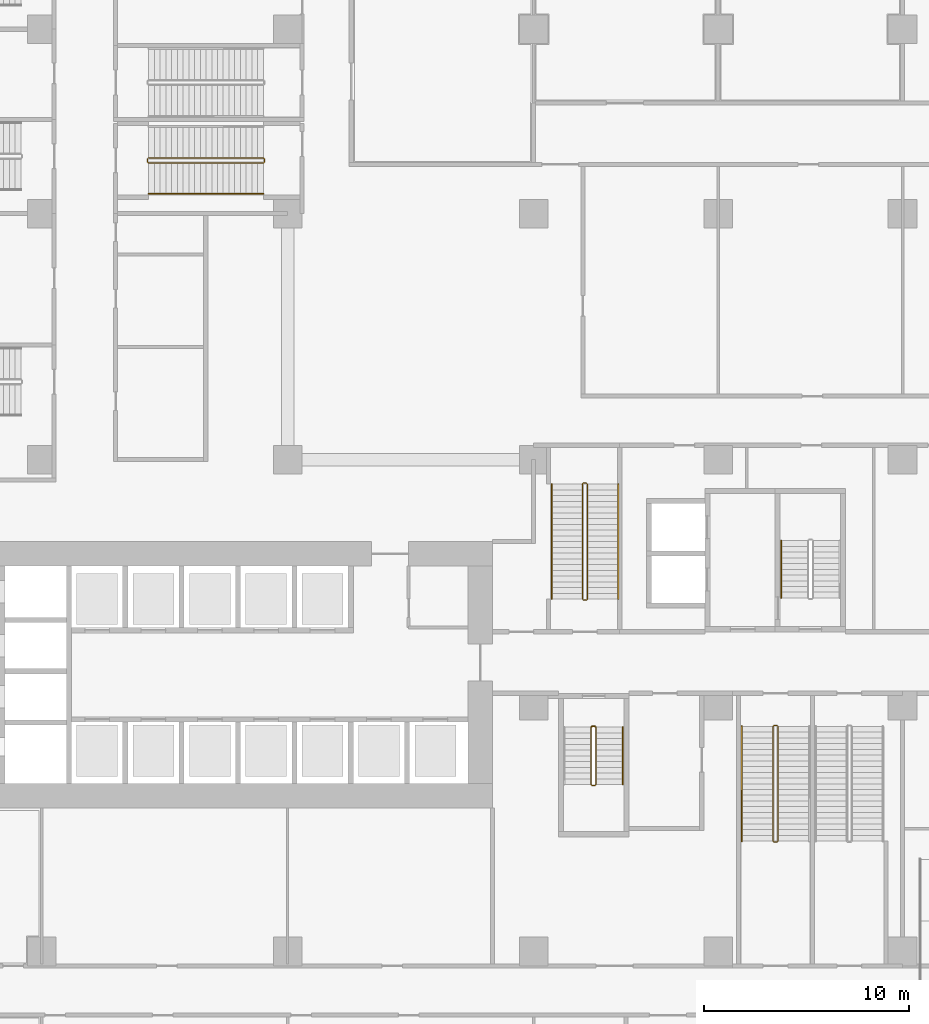
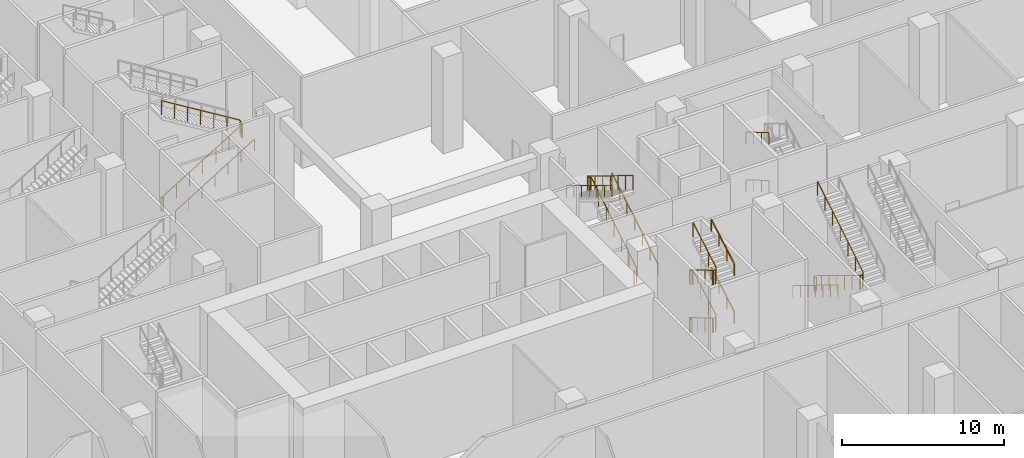
# One storey, part 30 of 34: 12 railings.
"""IFC4 building model written with IfcOpenShell, lengths in metres."""

from ifc_helpers import new_model, si_unit, direction, frame, origin, origin_2d, place, context, subcontext, project, spatial, rectangle, extrude, material, type_object, element, save


model = new_model("IFC4")

# Units and contexts
model_context = context("Model", 3, precision=1e-05, world=origin(), true_north=direction((0.0, 1.0)))
body_context = subcontext(model_context, "Body", "Model", "MODEL_VIEW")
ifc_project = project(units=[si_unit("LENGTHUNIT", "METRE"), si_unit("AREAUNIT", "SQUARE_METRE"), si_unit("VOLUMEUNIT", "CUBIC_METRE"), si_unit("PLANEANGLEUNIT", "RADIAN"), si_unit("MASSUNIT", "GRAM", prefix="KILO")], contexts=[model_context])

# Site, building, storey
site_placement = place(None, origin())
site = spatial("IfcSite", under=ifc_project, at=site_placement, CompositionType="ELEMENT")
building_placement = place(site_placement, origin())
building = spatial("IfcBuilding", under=site, at=building_placement, Name="Chenar Terraces", CompositionType="ELEMENT")
storey_placement = place(building_placement, origin())
storey = spatial("IfcBuildingStorey", under=building, at=storey_placement, Name="L00", CompositionType="ELEMENT", Elevation=0.0)

# Railings
ifc_material_1 = material(Name="Powder-coated steel", Category="steel")
railing_type_1 = type_object("IfcRailingType", Name="Stair guard 1100", PredefinedType="GUARDRAIL", material=ifc_material_1)
railing_1_placement = place(storey_placement, frame((39.050048828125, 10.949951171875, 7.199951171875)))
element("IfcRailing", 1, at=railing_1_placement, inside=storey, type_object=railing_type_1, Name="L00 ST2 stair guard 1", PredefinedType="GUARDRAIL", context=body_context, shape_type="SweptSolid", body=[
    extrude(rectangle(XDim=0.048095703125, YDim=0.048095703125, at=origin_2d()), frame((0.0, 0.0, 1.076171875), z_axis=(0.0, -0.863393664356, -0.504530851732), x_axis=(1.0, 0.0, 0.0)), (0.0, 0.0, 1.0), 3.2431640625),
    extrude(rectangle(XDim=0.048095703125, YDim=0.048095703125, at=origin_2d()), frame((0.0, -2.800048828125, -0.56005859375), z_axis=(-0.280563532951, -0.279194930351, -0.91833234444), x_axis=(0.705375805398, -0.708833529934, 0.0)), (0.0, 0.0, 1.0), 0.178466796875),
    extrude(rectangle(XDim=0.048095703125, YDim=0.048095703125, at=origin_2d()), frame((-0.050048828125, -2.849853515625, -0.72412109375), z_axis=(-1.0, 0.0, 0.0), x_axis=(0.0, -1.0, 0.0)), (0.0, 0.0, 1.0), 0.14990234375),
    extrude(rectangle(XDim=0.048095703125, YDim=0.048095703125, at=origin_2d()), frame((-0.199951171875, -2.849853515625, -0.72412109375), z_axis=(-0.708833529934, 0.705375805398, 0.0), x_axis=(-0.705375805398, -0.708833529934, 0.0)), (0.0, 0.0, 1.0), 0.070556640625),
    extrude(rectangle(XDim=0.048095703125, YDim=0.048095703125, at=origin_2d()), frame((-0.25, -2.800048828125, -0.72412109375), z_axis=(0.0, 0.863393664356, -0.504530851732), x_axis=(-1.0, 0.0, 0.0)), (0.0, 0.0, 1.0), 3.2431640625),
    extrude(rectangle(XDim=0.048095703125, YDim=0.048095703125, at=origin_2d()), frame((-0.25, 0.0, -2.3603515625), z_axis=(0.759870394187, 0.190199549216, -0.621627795), x_axis=(-0.242814311512, 0.970072785993, 0.0)), (0.0, 0.0, 1.0), 0.26318359375),
    extrude(rectangle(XDim=0.048095703125, YDim=0.048095703125, at=origin_2d()), frame((-0.050048828125, 0.050048828125, -2.52392578125), z_axis=(-1.0, 0.0, 0.0), x_axis=(0.0, -1.0, 0.0)), (0.0, 0.0, 1.0), 0.14990234375),
    extrude(rectangle(XDim=0.048095703125, YDim=0.048095703125, at=origin_2d()), frame((-0.199951171875, 0.050048828125, -2.52392578125), z_axis=(0.970072785993, -0.242814311512, 0.0), x_axis=(0.242814311512, 0.970072785993, 0.0)), (0.0, 0.0, 1.0), 0.2060546875),
    extrude(rectangle(XDim=0.048095703125, YDim=0.048095703125, at=origin_2d()), frame((0.0, 0.0, -2.52392578125), z_axis=(0.0, -0.863360870873, -0.504586966384), x_axis=(1.0, 0.0, 0.0)), (0.0, 0.0, 1.0), 3.2431640625),
    extrude(rectangle(XDim=0.048095703125, YDim=0.048095703125, at=origin_2d()), frame((0.0, -2.800048828125, -4.16015625), z_axis=(-0.280916556609, -0.279546231943, -0.91811752648), x_axis=(0.705375805398, -0.708833529934, 0.0)), (0.0, 0.0, 1.0), 0.17822265625),
    extrude(rectangle(XDim=0.048095703125, YDim=0.048095703125, at=origin_2d()), frame((-0.050048828125, -2.849853515625, -4.32373046875), z_axis=(-1.0, 0.0, 0.0), x_axis=(0.0, -1.0, 0.0)), (0.0, 0.0, 1.0), 0.14990234375),
    extrude(rectangle(XDim=0.048095703125, YDim=0.048095703125, at=origin_2d()), frame((-0.199951171875, -2.849853515625, -4.32373046875), z_axis=(-0.708833529934, 0.705375805398, 0.0), x_axis=(-0.705375805398, -0.708833529934, 0.0)), (0.0, 0.0, 1.0), 0.070556640625),
    extrude(rectangle(XDim=0.048095703125, YDim=0.048095703125, at=origin_2d()), frame((-0.25, -2.800048828125, -4.32373046875), z_axis=(0.0, 0.863360870873, -0.504586966384), x_axis=(-1.0, 0.0, 0.0)), (0.0, 0.0, 1.0), 3.2431640625),
    extrude(rectangle(XDim=0.048095703125, YDim=0.048095703125, at=origin_2d()), frame((-0.25, 0.0, -5.96044921875), z_axis=(0.280808744504, 0.280808744504, -0.917765164963), x_axis=(-0.707106781187, 0.707106781187, 0.0)), (0.0, 0.0, 1.0), 0.17822265625),
    extrude(rectangle(XDim=0.048095703125, YDim=0.048095703125, at=origin_2d()), frame((-0.199951171875, 0.050048828125, -6.1240234375), z_axis=(1.0, 0.0, 0.0), x_axis=(0.0, 1.0, 0.0)), (0.0, 0.0, 1.0), 0.14990234375),
    extrude(rectangle(XDim=0.0419921875, YDim=0.0419921875, at=origin_2d()), origin(), (0.0, 0.0, 1.0), 1.052001953125),
    extrude(rectangle(XDim=0.0419921875, YDim=0.0419921875, at=origin_2d()), frame((0.0, -0.933349609375, -0.54541015625)), (0.0, 0.0, 1.0), 1.052001953125),
    extrude(rectangle(XDim=0.0419921875, YDim=0.0419921875, at=origin_2d()), frame((0.0, -1.86669921875, -1.0908203125)), (0.0, 0.0, 1.0), 1.052001953125),
    extrude(rectangle(XDim=0.0419921875, YDim=0.0419921875, at=origin_2d()), frame((0.0, -2.800048828125, -1.63623046875)), (0.0, 0.0, 1.0), 1.052001953125),
    extrude(rectangle(XDim=0.0419921875, YDim=0.0419921875, at=origin_2d()), frame((-0.050048828125, -2.849853515625, -1.800048828125)), (0.0, 0.0, 1.0), 1.052001953125),
    extrude(rectangle(XDim=0.0419921875, YDim=0.0419921875, at=origin_2d()), frame((-0.199951171875, -2.849853515625, -1.800048828125)), (0.0, 0.0, 1.0), 1.052001953125),
    extrude(rectangle(XDim=0.0419921875, YDim=0.0419921875, at=origin_2d()), frame((-0.25, -2.800048828125, -1.800048828125)), (0.0, 0.0, 1.0), 1.052001953125),
    extrude(rectangle(XDim=0.0419921875, YDim=0.0419921875, at=origin_2d()), frame((-0.25, -1.86669921875, -2.345458984375)), (0.0, 0.0, 1.0), 1.052001953125),
    extrude(rectangle(XDim=0.0419921875, YDim=0.0419921875, at=origin_2d()), frame((-0.25, -0.933349609375, -2.890869140625)), (0.0, 0.0, 1.0), 1.052001953125),
    extrude(rectangle(XDim=0.0419921875, YDim=0.0419921875, at=origin_2d()), frame((-0.25, 0.0, -3.436279296875)), (0.0, 0.0, 1.0), 1.052001953125),
    extrude(rectangle(XDim=0.0419921875, YDim=0.0419921875, at=origin_2d()), frame((-0.050048828125, 0.050048828125, -3.599853515625)), (0.0, 0.0, 1.0), 1.052001953125),
    extrude(rectangle(XDim=0.0419921875, YDim=0.0419921875, at=origin_2d()), frame((-0.199951171875, 0.050048828125, -3.599853515625)), (0.0, 0.0, 1.0), 1.052001953125),
    extrude(rectangle(XDim=0.0419921875, YDim=0.0419921875, at=origin_2d()), frame((0.0, 0.0, -3.599853515625)), (0.0, 0.0, 1.0), 1.052001953125),
    extrude(rectangle(XDim=0.0419921875, YDim=0.0419921875, at=origin_2d()), frame((0.0, -0.933349609375, -4.145263671875)), (0.0, 0.0, 1.0), 1.052001953125),
    extrude(rectangle(XDim=0.0419921875, YDim=0.0419921875, at=origin_2d()), frame((0.0, -1.86669921875, -4.69091796875)), (0.0, 0.0, 1.0), 1.052001953125),
    extrude(rectangle(XDim=0.0419921875, YDim=0.0419921875, at=origin_2d()), frame((0.0, -2.800048828125, -5.236328125)), (0.0, 0.0, 1.0), 1.052001953125),
    extrude(rectangle(XDim=0.0419921875, YDim=0.0419921875, at=origin_2d()), frame((-0.050048828125, -2.849853515625, -5.39990234375)), (0.0, 0.0, 1.0), 1.052001953125),
    extrude(rectangle(XDim=0.0419921875, YDim=0.0419921875, at=origin_2d()), frame((-0.199951171875, -2.849853515625, -5.39990234375)), (0.0, 0.0, 1.0), 1.052001953125),
    extrude(rectangle(XDim=0.0419921875, YDim=0.0419921875, at=origin_2d()), frame((-0.25, -2.800048828125, -5.39990234375)), (0.0, 0.0, 1.0), 1.052001953125),
    extrude(rectangle(XDim=0.0419921875, YDim=0.0419921875, at=origin_2d()), frame((-0.25, -1.86669921875, -5.9453125)), (0.0, 0.0, 1.0), 1.052001953125),
    extrude(rectangle(XDim=0.0419921875, YDim=0.0419921875, at=origin_2d()), frame((-0.25, -0.933349609375, -6.490966796875)), (0.0, 0.0, 1.0), 1.052001953125),
    extrude(rectangle(XDim=0.0419921875, YDim=0.0419921875, at=origin_2d()), frame((-0.25, 0.0, -7.036376953125)), (0.0, 0.0, 1.0), 1.052001953125),
    extrude(rectangle(XDim=0.0419921875, YDim=0.0419921875, at=origin_2d()), frame((-0.199951171875, 0.050048828125, -7.199951171875)), (0.0, 0.0, 1.0), 1.052001953125),
    extrude(rectangle(XDim=0.0419921875, YDim=0.0419921875, at=origin_2d()), frame((-0.050048828125, 0.050048828125, -7.199951171875)), (0.0, 0.0, 1.0), 1.052001953125),
])
railing_2_placement = place(storey_placement, frame((38.375, 17.199951171875, 7.199951171875)))
element("IfcRailing", 2, at=railing_2_placement, inside=storey, type_object=railing_type_1, Name="L00 PS1 stair guard 1", PredefinedType="GUARDRAIL", context=body_context, shape_type="SweptSolid", body=[
    extrude(rectangle(XDim=0.048095703125, YDim=0.048095703125, at=origin_2d()), frame((0.0, 0.0, 1.076171875), z_axis=(0.0, 0.852862454864, -0.522135646249), x_axis=(-1.0, 0.0, 0.0)), (0.0, 0.0, 1.0), 6.566162109375),
    extrude(rectangle(XDim=0.048095703125, YDim=0.048095703125, at=origin_2d()), frame((0.0, 5.60009765625, -2.3525390625), z_axis=(0.269911200495, 0.269911200495, -0.924281281696), x_axis=(-0.707106781187, 0.707106781187, 0.0)), (0.0, 0.0, 1.0), 0.185546875),
    extrude(rectangle(XDim=0.048095703125, YDim=0.048095703125, at=origin_2d()), frame((0.050048828125, 5.650146484375, -2.52392578125), z_axis=(1.0, 0.0, 0.0), x_axis=(0.0, 1.0, 0.0)), (0.0, 0.0, 1.0), 0.14990234375),
    extrude(rectangle(XDim=0.048095703125, YDim=0.048095703125, at=origin_2d()), frame((0.199951171875, 5.650146484375, -2.52392578125), z_axis=(0.707106781187, -0.707106781187, 0.0), x_axis=(0.707106781187, 0.707106781187, 0.0)), (0.0, 0.0, 1.0), 0.07080078125),
    extrude(rectangle(XDim=0.048095703125, YDim=0.048095703125, at=origin_2d()), frame((0.25, 5.60009765625, -2.52392578125), z_axis=(0.0, -0.852845897599, -0.522162690116), x_axis=(1.0, 0.0, 0.0)), (0.0, 0.0, 1.0), 6.56640625),
    extrude(rectangle(XDim=0.048095703125, YDim=0.048095703125, at=origin_2d()), frame((0.25, 0.0, -5.95263671875), z_axis=(-0.269911200495, -0.269911200495, -0.924281281696), x_axis=(0.707106781187, -0.707106781187, 0.0)), (0.0, 0.0, 1.0), 0.185546875),
    extrude(rectangle(XDim=0.048095703125, YDim=0.048095703125, at=origin_2d()), frame((0.199951171875, -0.050048828125, -6.1240234375), z_axis=(-1.0, 0.0, 0.0), x_axis=(0.0, -1.0, 0.0)), (0.0, 0.0, 1.0), 0.14990234375),
    extrude(rectangle(XDim=0.0419921875, YDim=0.0419921875, at=origin_2d()), origin(), (0.0, 0.0, 1.0), 1.052001953125),
    extrude(rectangle(XDim=0.0419921875, YDim=0.0419921875, at=origin_2d()), frame((0.0, 0.933349609375, -0.5712890625)), (0.0, 0.0, 1.0), 1.052001953125),
    extrude(rectangle(XDim=0.0419921875, YDim=0.0419921875, at=origin_2d()), frame((0.0, 1.86669921875, -1.142822265625)), (0.0, 0.0, 1.0), 1.052001953125),
    extrude(rectangle(XDim=0.0419921875, YDim=0.0419921875, at=origin_2d()), frame((0.0, 2.800048828125, -1.71435546875)), (0.0, 0.0, 1.0), 1.052001953125),
    extrude(rectangle(XDim=0.0419921875, YDim=0.0419921875, at=origin_2d()), frame((0.0, 3.7333984375, -2.28564453125)), (0.0, 0.0, 1.0), 1.052001953125),
    extrude(rectangle(XDim=0.0419921875, YDim=0.0419921875, at=origin_2d()), frame((0.0, 4.666748046875, -2.85693359375)), (0.0, 0.0, 1.0), 1.052001953125),
    extrude(rectangle(XDim=0.0419921875, YDim=0.0419921875, at=origin_2d()), frame((0.0, 5.60009765625, -3.428466796875)), (0.0, 0.0, 1.0), 1.052001953125),
    extrude(rectangle(XDim=0.0419921875, YDim=0.0419921875, at=origin_2d()), frame((0.050048828125, 5.650146484375, -3.599853515625)), (0.0, 0.0, 1.0), 1.052001953125),
    extrude(rectangle(XDim=0.0419921875, YDim=0.0419921875, at=origin_2d()), frame((0.199951171875, 5.650146484375, -3.599853515625)), (0.0, 0.0, 1.0), 1.052001953125),
    extrude(rectangle(XDim=0.0419921875, YDim=0.0419921875, at=origin_2d()), frame((0.25, 5.60009765625, -3.599853515625)), (0.0, 0.0, 1.0), 1.052001953125),
    extrude(rectangle(XDim=0.0419921875, YDim=0.0419921875, at=origin_2d()), frame((0.25, 4.666748046875, -4.17138671875)), (0.0, 0.0, 1.0), 1.052001953125),
    extrude(rectangle(XDim=0.0419921875, YDim=0.0419921875, at=origin_2d()), frame((0.25, 3.7333984375, -4.74267578125)), (0.0, 0.0, 1.0), 1.052001953125),
    extrude(rectangle(XDim=0.0419921875, YDim=0.0419921875, at=origin_2d()), frame((0.25, 2.800048828125, -5.314208984375)), (0.0, 0.0, 1.0), 1.052001953125),
    extrude(rectangle(XDim=0.0419921875, YDim=0.0419921875, at=origin_2d()), frame((0.25, 1.86669921875, -5.8857421875)), (0.0, 0.0, 1.0), 1.052001953125),
    extrude(rectangle(XDim=0.0419921875, YDim=0.0419921875, at=origin_2d()), frame((0.25, 0.933349609375, -6.45703125)), (0.0, 0.0, 1.0), 1.052001953125),
    extrude(rectangle(XDim=0.0419921875, YDim=0.0419921875, at=origin_2d()), frame((0.25, 0.0, -7.028564453125)), (0.0, 0.0, 1.0), 1.052001953125),
    extrude(rectangle(XDim=0.0419921875, YDim=0.0419921875, at=origin_2d()), frame((0.199951171875, -0.050048828125, -7.199951171875)), (0.0, 0.0, 1.0), 1.052001953125),
    extrude(rectangle(XDim=0.0419921875, YDim=0.0419921875, at=origin_2d()), frame((0.050048828125, -0.050048828125, -7.199951171875)), (0.0, 0.0, 1.0), 1.052001953125),
])
railing_3_placement = place(storey_placement, frame((47.925048828125, 10.985107421875, 7.199951171875)))
element("IfcRailing", 3, at=railing_3_placement, inside=storey, type_object=railing_type_1, Name="L00 PS6 stair guard 1", PredefinedType="GUARDRAIL", context=body_context, shape_type="SweptSolid", body=[
    extrude(rectangle(XDim=0.048095703125, YDim=0.048095703125, at=origin_2d()), frame((0.0, 0.0, 1.076171875), z_axis=(0.0, -0.852862454864, -0.522135646249), x_axis=(1.0, 0.0, 0.0)), (0.0, 0.0, 1.0), 6.566162109375),
    extrude(rectangle(XDim=0.048095703125, YDim=0.048095703125, at=origin_2d()), frame((0.0, -5.60009765625, -2.3525390625), z_axis=(-0.269911200495, -0.269911200495, -0.924281281696), x_axis=(0.707106781187, -0.707106781187, 0.0)), (0.0, 0.0, 1.0), 0.185546875),
    extrude(rectangle(XDim=0.048095703125, YDim=0.048095703125, at=origin_2d()), frame((-0.050048828125, -5.650146484375, -2.52392578125), z_axis=(-1.0, 0.0, 0.0), x_axis=(0.0, -1.0, 0.0)), (0.0, 0.0, 1.0), 0.14990234375),
    extrude(rectangle(XDim=0.048095703125, YDim=0.048095703125, at=origin_2d()), frame((-0.199951171875, -5.650146484375, -2.52392578125), z_axis=(-0.707106781187, 0.707106781187, 0.0), x_axis=(-0.707106781187, -0.707106781187, 0.0)), (0.0, 0.0, 1.0), 0.07080078125),
    extrude(rectangle(XDim=0.048095703125, YDim=0.048095703125, at=origin_2d()), frame((-0.25, -5.60009765625, -2.52392578125), z_axis=(0.0, 0.852845897599, -0.522162690116), x_axis=(-1.0, 0.0, 0.0)), (0.0, 0.0, 1.0), 6.56640625),
    extrude(rectangle(XDim=0.048095703125, YDim=0.048095703125, at=origin_2d()), frame((-0.25, 0.0, -5.95263671875), z_axis=(0.270006937388, 0.268689830376, -0.924609122178), x_axis=(-0.705375805398, 0.708833529934, 0.0)), (0.0, 0.0, 1.0), 0.185302734375),
    extrude(rectangle(XDim=0.048095703125, YDim=0.048095703125, at=origin_2d()), frame((-0.199951171875, 0.0498046875, -6.1240234375), z_axis=(1.0, 0.0, 0.0), x_axis=(0.0, 1.0, 0.0)), (0.0, 0.0, 1.0), 0.14990234375),
    extrude(rectangle(XDim=0.0419921875, YDim=0.0419921875, at=origin_2d()), origin(), (0.0, 0.0, 1.0), 1.052001953125),
    extrude(rectangle(XDim=0.0419921875, YDim=0.0419921875, at=origin_2d()), frame((0.0, -0.933349609375, -0.5712890625)), (0.0, 0.0, 1.0), 1.052001953125),
    extrude(rectangle(XDim=0.0419921875, YDim=0.0419921875, at=origin_2d()), frame((0.0, -1.86669921875, -1.142822265625)), (0.0, 0.0, 1.0), 1.052001953125),
    extrude(rectangle(XDim=0.0419921875, YDim=0.0419921875, at=origin_2d()), frame((0.0, -2.800048828125, -1.71435546875)), (0.0, 0.0, 1.0), 1.052001953125),
    extrude(rectangle(XDim=0.0419921875, YDim=0.0419921875, at=origin_2d()), frame((0.0, -3.7333984375, -2.28564453125)), (0.0, 0.0, 1.0), 1.052001953125),
    extrude(rectangle(XDim=0.0419921875, YDim=0.0419921875, at=origin_2d()), frame((0.0, -4.666748046875, -2.85693359375)), (0.0, 0.0, 1.0), 1.052001953125),
    extrude(rectangle(XDim=0.0419921875, YDim=0.0419921875, at=origin_2d()), frame((0.0, -5.60009765625, -3.428466796875)), (0.0, 0.0, 1.0), 1.052001953125),
    extrude(rectangle(XDim=0.0419921875, YDim=0.0419921875, at=origin_2d()), frame((-0.050048828125, -5.650146484375, -3.599853515625)), (0.0, 0.0, 1.0), 1.052001953125),
    extrude(rectangle(XDim=0.0419921875, YDim=0.0419921875, at=origin_2d()), frame((-0.199951171875, -5.650146484375, -3.599853515625)), (0.0, 0.0, 1.0), 1.052001953125),
    extrude(rectangle(XDim=0.0419921875, YDim=0.0419921875, at=origin_2d()), frame((-0.25, -5.60009765625, -3.599853515625)), (0.0, 0.0, 1.0), 1.052001953125),
    extrude(rectangle(XDim=0.0419921875, YDim=0.0419921875, at=origin_2d()), frame((-0.25, -4.666748046875, -4.17138671875)), (0.0, 0.0, 1.0), 1.052001953125),
    extrude(rectangle(XDim=0.0419921875, YDim=0.0419921875, at=origin_2d()), frame((-0.25, -3.7333984375, -4.74267578125)), (0.0, 0.0, 1.0), 1.052001953125),
    extrude(rectangle(XDim=0.0419921875, YDim=0.0419921875, at=origin_2d()), frame((-0.25, -2.800048828125, -5.314208984375)), (0.0, 0.0, 1.0), 1.052001953125),
    extrude(rectangle(XDim=0.0419921875, YDim=0.0419921875, at=origin_2d()), frame((-0.25, -1.86669921875, -5.8857421875)), (0.0, 0.0, 1.0), 1.052001953125),
    extrude(rectangle(XDim=0.0419921875, YDim=0.0419921875, at=origin_2d()), frame((-0.25, -0.933349609375, -6.45703125)), (0.0, 0.0, 1.0), 1.052001953125),
    extrude(rectangle(XDim=0.0419921875, YDim=0.0419921875, at=origin_2d()), frame((-0.25, 0.0, -7.028564453125)), (0.0, 0.0, 1.0), 1.052001953125),
    extrude(rectangle(XDim=0.0419921875, YDim=0.0419921875, at=origin_2d()), frame((-0.199951171875, 0.0498046875, -7.199951171875)), (0.0, 0.0, 1.0), 1.052001953125),
    extrude(rectangle(XDim=0.0419921875, YDim=0.0419921875, at=origin_2d()), frame((-0.050048828125, 0.0498046875, -7.199951171875)), (0.0, 0.0, 1.0), 1.052001953125),
])
railing_4_placement = place(storey_placement, frame((17.215087890625, 38.72509765625, 7.199951171875)))
element("IfcRailing", 4, at=railing_4_placement, inside=storey, type_object=railing_type_1, Name="L00 PS7 stair guard 1", PredefinedType="GUARDRAIL", context=body_context, shape_type="SweptSolid", body=[
    extrude(rectangle(XDim=0.048095703125, YDim=0.048095703125, at=origin_2d()), frame((0.0, 0.0, 1.076171875), z_axis=(0.852852317832, 0.0, -0.522152203833), x_axis=(0.0, 1.0, 0.0)), (0.0, 0.0, 1.0), 6.56591796875),
    extrude(rectangle(XDim=0.048095703125, YDim=0.048095703125, at=origin_2d()), frame((5.599853515625, 0.0, -2.3525390625), z_axis=(0.269911200495, -0.269911200495, -0.924281281696), x_axis=(0.707106781187, 0.707106781187, 0.0)), (0.0, 0.0, 1.0), 0.185546875),
    extrude(rectangle(XDim=0.048095703125, YDim=0.048095703125, at=origin_2d()), frame((5.64990234375, -0.050048828125, -2.52392578125), z_axis=(0.0, -1.0, 0.0), x_axis=(1.0, 0.0, 0.0)), (0.0, 0.0, 1.0), 0.150146484375),
    extrude(rectangle(XDim=0.048095703125, YDim=0.048095703125, at=origin_2d()), frame((5.64990234375, -0.2001953125, -2.52392578125), z_axis=(-0.708833529934, -0.705375805398, 0.0), x_axis=(0.705375805398, -0.708833529934, 0.0)), (0.0, 0.0, 1.0), 0.070556640625),
    extrude(rectangle(XDim=0.048095703125, YDim=0.048095703125, at=origin_2d()), frame((5.599853515625, -0.25, -2.52392578125), z_axis=(-0.852835759714, 0.0, -0.522179247915), x_axis=(0.0, -1.0, 0.0)), (0.0, 0.0, 1.0), 6.566162109375),
    extrude(rectangle(XDim=0.048095703125, YDim=0.048095703125, at=origin_2d()), frame((0.0, -0.25, -5.95263671875), z_axis=(-0.270006937388, 0.268689830376, -0.924609122178), x_axis=(-0.705375805398, -0.708833529934, 0.0)), (0.0, 0.0, 1.0), 0.185302734375),
    extrude(rectangle(XDim=0.048095703125, YDim=0.048095703125, at=origin_2d()), frame((-0.050048828125, -0.2001953125, -6.1240234375), z_axis=(0.0, 1.0, 0.0), x_axis=(-1.0, 0.0, 0.0)), (0.0, 0.0, 1.0), 0.150146484375),
    extrude(rectangle(XDim=0.0419921875, YDim=0.0419921875, at=origin_2d()), origin(), (0.0, 0.0, 1.0), 1.052001953125),
    extrude(rectangle(XDim=0.0419921875, YDim=0.0419921875, at=origin_2d()), frame((0.933349609375, 0.0, -0.5712890625)), (0.0, 0.0, 1.0), 1.052001953125),
    extrude(rectangle(XDim=0.0419921875, YDim=0.0419921875, at=origin_2d()), frame((1.86669921875, 0.0, -1.142822265625)), (0.0, 0.0, 1.0), 1.052001953125),
    extrude(rectangle(XDim=0.0419921875, YDim=0.0419921875, at=origin_2d()), frame((2.7998046875, 0.0, -1.71435546875)), (0.0, 0.0, 1.0), 1.052001953125),
    extrude(rectangle(XDim=0.0419921875, YDim=0.0419921875, at=origin_2d()), frame((3.733154296875, 0.0, -2.28564453125)), (0.0, 0.0, 1.0), 1.052001953125),
    extrude(rectangle(XDim=0.0419921875, YDim=0.0419921875, at=origin_2d()), frame((4.66650390625, 0.0, -2.85693359375)), (0.0, 0.0, 1.0), 1.052001953125),
    extrude(rectangle(XDim=0.0419921875, YDim=0.0419921875, at=origin_2d()), frame((5.599853515625, 0.0, -3.428466796875)), (0.0, 0.0, 1.0), 1.052001953125),
    extrude(rectangle(XDim=0.0419921875, YDim=0.0419921875, at=origin_2d()), frame((5.64990234375, -0.050048828125, -3.599853515625)), (0.0, 0.0, 1.0), 1.052001953125),
    extrude(rectangle(XDim=0.0419921875, YDim=0.0419921875, at=origin_2d()), frame((5.64990234375, -0.2001953125, -3.599853515625)), (0.0, 0.0, 1.0), 1.052001953125),
    extrude(rectangle(XDim=0.0419921875, YDim=0.0419921875, at=origin_2d()), frame((5.599853515625, -0.25, -3.599853515625)), (0.0, 0.0, 1.0), 1.052001953125),
    extrude(rectangle(XDim=0.0419921875, YDim=0.0419921875, at=origin_2d()), frame((4.66650390625, -0.25, -4.17138671875)), (0.0, 0.0, 1.0), 1.052001953125),
    extrude(rectangle(XDim=0.0419921875, YDim=0.0419921875, at=origin_2d()), frame((3.733154296875, -0.25, -4.74267578125)), (0.0, 0.0, 1.0), 1.052001953125),
    extrude(rectangle(XDim=0.0419921875, YDim=0.0419921875, at=origin_2d()), frame((2.7998046875, -0.25, -5.314208984375)), (0.0, 0.0, 1.0), 1.052001953125),
    extrude(rectangle(XDim=0.0419921875, YDim=0.0419921875, at=origin_2d()), frame((1.86669921875, -0.25, -5.8857421875)), (0.0, 0.0, 1.0), 1.052001953125),
    extrude(rectangle(XDim=0.0419921875, YDim=0.0419921875, at=origin_2d()), frame((0.933349609375, -0.25, -6.45703125)), (0.0, 0.0, 1.0), 1.052001953125),
    extrude(rectangle(XDim=0.0419921875, YDim=0.0419921875, at=origin_2d()), frame((0.0, -0.25, -7.028564453125)), (0.0, 0.0, 1.0), 1.052001953125),
    extrude(rectangle(XDim=0.0419921875, YDim=0.0419921875, at=origin_2d()), frame((-0.050048828125, -0.2001953125, -7.199951171875)), (0.0, 0.0, 1.0), 1.052001953125),
    extrude(rectangle(XDim=0.0419921875, YDim=0.0419921875, at=origin_2d()), frame((-0.050048828125, -0.050048828125, -7.199951171875)), (0.0, 0.0, 1.0), 1.052001953125),
])
ifc_material_2 = material(Name="Powder-coated steel", Category="steel")
railing_type_2 = type_object("IfcRailingType", Name="Stair handrail 900", PredefinedType="HANDRAIL", material=ifc_material_2)
railing_5_placement = place(storey_placement, frame((40.35009765625, 8.14990234375, 1.963623046875)))
element("IfcRailing", 5, at=railing_5_placement, inside=storey, type_object=railing_type_2, Name="L00 ST2 stair handrail 2", PredefinedType="HANDRAIL", context=body_context, shape_type="SweptSolid", body=[
    extrude(rectangle(XDim=0.048095703125, YDim=0.048095703125, at=origin_2d()), frame((0.0, 0.0, 0.8759765625), z_axis=(0.0, 0.863360870873, 0.504586966384), x_axis=(-1.0, 0.0, 0.0)), (0.0, 0.0, 1.0), 3.2431640625),
    extrude(rectangle(XDim=0.0419921875, YDim=0.0419921875, at=origin_2d()), origin(), (0.0, 0.0, 1.0), 0.851806640625),
    extrude(rectangle(XDim=0.0419921875, YDim=0.0419921875, at=origin_2d()), frame((0.0, 0.933349609375, 0.54541015625)), (0.0, 0.0, 1.0), 0.851806640625),
    extrude(rectangle(XDim=0.0419921875, YDim=0.0419921875, at=origin_2d()), frame((0.0, 1.86669921875, 1.091064453125)), (0.0, 0.0, 1.0), 0.851806640625),
    extrude(rectangle(XDim=0.0419921875, YDim=0.0419921875, at=origin_2d()), frame((0.0, 2.800048828125, 1.636474609375)), (0.0, 0.0, 1.0), 0.851806640625),
])
railing_6_placement = place(storey_placement, frame((40.35009765625, 8.14990234375, 5.563720703125)))
element("IfcRailing", 6, at=railing_6_placement, inside=storey, type_object=railing_type_2, Name="L00 ST2 stair handrail 4", PredefinedType="HANDRAIL", context=body_context, shape_type="SweptSolid", body=[
    extrude(rectangle(XDim=0.048095703125, YDim=0.048095703125, at=origin_2d()), frame((0.0, 0.0, 0.8759765625), z_axis=(0.0, 0.863393664356, 0.504530851732), x_axis=(-1.0, 0.0, 0.0)), (0.0, 0.0, 1.0), 3.2431640625),
    extrude(rectangle(XDim=0.0419921875, YDim=0.0419921875, at=origin_2d()), origin(), (0.0, 0.0, 1.0), 0.851806640625),
    extrude(rectangle(XDim=0.0419921875, YDim=0.0419921875, at=origin_2d()), frame((0.0, 0.933349609375, 0.54541015625)), (0.0, 0.0, 1.0), 0.851806640625),
    extrude(rectangle(XDim=0.0419921875, YDim=0.0419921875, at=origin_2d()), frame((0.0, 1.86669921875, 1.0908203125)), (0.0, 0.0, 1.0), 0.851806640625),
    extrude(rectangle(XDim=0.0419921875, YDim=0.0419921875, at=origin_2d()), frame((0.0, 2.800048828125, 1.63623046875)), (0.0, 0.0, 1.0), 0.851806640625),
])
railing_7_placement = place(storey_placement, frame((48.074951171875, 20.050048828125, 1.963623046875)))
element("IfcRailing", 7, at=railing_7_placement, inside=storey, type_object=railing_type_2, Name="L00 ST3 stair handrail 2", PredefinedType="HANDRAIL", context=body_context, shape_type="SweptSolid", body=[
    extrude(rectangle(XDim=0.048095703125, YDim=0.048095703125, at=origin_2d()), frame((0.0, 0.0, 0.8759765625), z_axis=(0.0, -0.863360870873, 0.504586966384), x_axis=(1.0, 0.0, 0.0)), (0.0, 0.0, 1.0), 3.2431640625),
    extrude(rectangle(XDim=0.0419921875, YDim=0.0419921875, at=origin_2d()), origin(), (0.0, 0.0, 1.0), 0.851806640625),
    extrude(rectangle(XDim=0.0419921875, YDim=0.0419921875, at=origin_2d()), frame((0.0, -0.933349609375, 0.54541015625)), (0.0, 0.0, 1.0), 0.851806640625),
    extrude(rectangle(XDim=0.0419921875, YDim=0.0419921875, at=origin_2d()), frame((0.0, -1.86669921875, 1.091064453125)), (0.0, 0.0, 1.0), 0.851806640625),
    extrude(rectangle(XDim=0.0419921875, YDim=0.0419921875, at=origin_2d()), frame((0.0, -2.800048828125, 1.636474609375)), (0.0, 0.0, 1.0), 0.851806640625),
])
railing_8_placement = place(storey_placement, frame((48.074951171875, 20.050048828125, 5.563720703125)))
element("IfcRailing", 8, at=railing_8_placement, inside=storey, type_object=railing_type_2, Name="L00 ST3 stair handrail 4", PredefinedType="HANDRAIL", context=body_context, shape_type="SweptSolid", body=[
    extrude(rectangle(XDim=0.048095703125, YDim=0.048095703125, at=origin_2d()), frame((0.0, 0.0, 0.8759765625), z_axis=(0.0, -0.863393664356, 0.504530851732), x_axis=(1.0, 0.0, 0.0)), (0.0, 0.0, 1.0), 3.2431640625),
    extrude(rectangle(XDim=0.0419921875, YDim=0.0419921875, at=origin_2d()), origin(), (0.0, 0.0, 1.0), 0.851806640625),
    extrude(rectangle(XDim=0.0419921875, YDim=0.0419921875, at=origin_2d()), frame((0.0, -0.933349609375, 0.54541015625)), (0.0, 0.0, 1.0), 0.851806640625),
    extrude(rectangle(XDim=0.0419921875, YDim=0.0419921875, at=origin_2d()), frame((0.0, -1.86669921875, 1.0908203125)), (0.0, 0.0, 1.0), 0.851806640625),
    extrude(rectangle(XDim=0.0419921875, YDim=0.0419921875, at=origin_2d()), frame((0.0, -2.800048828125, 1.63623046875)), (0.0, 0.0, 1.0), 0.851806640625),
])
railing_9_placement = place(storey_placement, frame((40.125, 17.199951171875, 0.17138671875)))
element("IfcRailing", 9, at=railing_9_placement, inside=storey, type_object=railing_type_2, Name="L00 PS1 stair handrail 1", PredefinedType="HANDRAIL", context=body_context, shape_type="SweptSolid", body=[
    extrude(rectangle(XDim=0.048095703125, YDim=0.048095703125, at=origin_2d()), frame((0.0, 0.0, 0.8759765625), z_axis=(0.0, 0.852845897599, 0.522162690116), x_axis=(-1.0, 0.0, 0.0)), (0.0, 0.0, 1.0), 6.56640625),
    extrude(rectangle(XDim=0.0419921875, YDim=0.0419921875, at=origin_2d()), origin(), (0.0, 0.0, 1.0), 0.851806640625),
    extrude(rectangle(XDim=0.0419921875, YDim=0.0419921875, at=origin_2d()), frame((0.0, 0.933349609375, 0.571533203125)), (0.0, 0.0, 1.0), 0.851806640625),
    extrude(rectangle(XDim=0.0419921875, YDim=0.0419921875, at=origin_2d()), frame((0.0, 1.86669921875, 1.142822265625)), (0.0, 0.0, 1.0), 0.851806640625),
    extrude(rectangle(XDim=0.0419921875, YDim=0.0419921875, at=origin_2d()), frame((0.0, 2.800048828125, 1.71435546875)), (0.0, 0.0, 1.0), 0.851806640625),
    extrude(rectangle(XDim=0.0419921875, YDim=0.0419921875, at=origin_2d()), frame((0.0, 3.7333984375, 2.285888671875)), (0.0, 0.0, 1.0), 0.851806640625),
    extrude(rectangle(XDim=0.0419921875, YDim=0.0419921875, at=origin_2d()), frame((0.0, 4.666748046875, 2.857177734375)), (0.0, 0.0, 1.0), 0.851806640625),
    extrude(rectangle(XDim=0.0419921875, YDim=0.0419921875, at=origin_2d()), frame((0.0, 5.60009765625, 3.4287109375)), (0.0, 0.0, 1.0), 0.851806640625),
])
railing_10_placement = place(storey_placement, frame((36.875, 22.800048828125, 3.771484375)))
element("IfcRailing", 10, at=railing_10_placement, inside=storey, type_object=railing_type_2, Name="L00 PS1 stair handrail 2", PredefinedType="HANDRAIL", context=body_context, shape_type="SweptSolid", body=[
    extrude(rectangle(XDim=0.048095703125, YDim=0.048095703125, at=origin_2d()), frame((0.0, 0.0, 0.8759765625), z_axis=(0.0, -0.852862454864, 0.522135646249), x_axis=(1.0, 0.0, 0.0)), (0.0, 0.0, 1.0), 6.566162109375),
    extrude(rectangle(XDim=0.0419921875, YDim=0.0419921875, at=origin_2d()), origin(), (0.0, 0.0, 1.0), 0.851806640625),
    extrude(rectangle(XDim=0.0419921875, YDim=0.0419921875, at=origin_2d()), frame((0.0, -0.933349609375, 0.5712890625)), (0.0, 0.0, 1.0), 0.851806640625),
    extrude(rectangle(XDim=0.0419921875, YDim=0.0419921875, at=origin_2d()), frame((0.0, -1.86669921875, 1.142822265625)), (0.0, 0.0, 1.0), 0.851806640625),
    extrude(rectangle(XDim=0.0419921875, YDim=0.0419921875, at=origin_2d()), frame((0.0, -2.800048828125, 1.71435546875)), (0.0, 0.0, 1.0), 0.851806640625),
    extrude(rectangle(XDim=0.0419921875, YDim=0.0419921875, at=origin_2d()), frame((0.0, -3.7333984375, 2.28564453125)), (0.0, 0.0, 1.0), 0.851806640625),
    extrude(rectangle(XDim=0.0419921875, YDim=0.0419921875, at=origin_2d()), frame((0.0, -4.666748046875, 2.85693359375)), (0.0, 0.0, 1.0), 0.851806640625),
    extrude(rectangle(XDim=0.0419921875, YDim=0.0419921875, at=origin_2d()), frame((0.0, -5.60009765625, 3.428466796875)), (0.0, 0.0, 1.0), 0.851806640625),
])
railing_11_placement = place(storey_placement, frame((46.159912109375, 10.985107421875, 0.17138671875)))
element("IfcRailing", 11, at=railing_11_placement, inside=storey, type_object=railing_type_2, Name="L00 PS6 stair handrail 1", PredefinedType="HANDRAIL", context=body_context, shape_type="SweptSolid", body=[
    extrude(rectangle(XDim=0.048095703125, YDim=0.048095703125, at=origin_2d()), frame((0.0, 0.0, 0.8759765625), z_axis=(0.0, -0.852845897599, 0.522162690116), x_axis=(1.0, 0.0, 0.0)), (0.0, 0.0, 1.0), 6.56640625),
    extrude(rectangle(XDim=0.0419921875, YDim=0.0419921875, at=origin_2d()), origin(), (0.0, 0.0, 1.0), 0.851806640625),
    extrude(rectangle(XDim=0.0419921875, YDim=0.0419921875, at=origin_2d()), frame((0.0, -0.933349609375, 0.571533203125)), (0.0, 0.0, 1.0), 0.851806640625),
    extrude(rectangle(XDim=0.0419921875, YDim=0.0419921875, at=origin_2d()), frame((0.0, -1.86669921875, 1.142822265625)), (0.0, 0.0, 1.0), 0.851806640625),
    extrude(rectangle(XDim=0.0419921875, YDim=0.0419921875, at=origin_2d()), frame((0.0, -2.800048828125, 1.71435546875)), (0.0, 0.0, 1.0), 0.851806640625),
    extrude(rectangle(XDim=0.0419921875, YDim=0.0419921875, at=origin_2d()), frame((0.0, -3.7333984375, 2.285888671875)), (0.0, 0.0, 1.0), 0.851806640625),
    extrude(rectangle(XDim=0.0419921875, YDim=0.0419921875, at=origin_2d()), frame((0.0, -4.666748046875, 2.857177734375)), (0.0, 0.0, 1.0), 0.851806640625),
    extrude(rectangle(XDim=0.0419921875, YDim=0.0419921875, at=origin_2d()), frame((0.0, -5.60009765625, 3.4287109375)), (0.0, 0.0, 1.0), 0.851806640625),
])
railing_12_placement = place(storey_placement, frame((17.215087890625, 36.9599609375, 0.17138671875)))
element("IfcRailing", 12, at=railing_12_placement, inside=storey, type_object=railing_type_2, Name="L00 PS7 stair handrail 1", PredefinedType="HANDRAIL", context=body_context, shape_type="SweptSolid", body=[
    extrude(rectangle(XDim=0.048095703125, YDim=0.048095703125, at=origin_2d()), frame((0.0, 0.0, 0.8759765625), z_axis=(0.852835759714, 0.0, 0.522179247915), x_axis=(0.0, 1.0, 0.0)), (0.0, 0.0, 1.0), 6.566162109375),
    extrude(rectangle(XDim=0.0419921875, YDim=0.0419921875, at=origin_2d()), origin(), (0.0, 0.0, 1.0), 0.851806640625),
    extrude(rectangle(XDim=0.0419921875, YDim=0.0419921875, at=origin_2d()), frame((0.933349609375, 0.0, 0.571533203125)), (0.0, 0.0, 1.0), 0.851806640625),
    extrude(rectangle(XDim=0.0419921875, YDim=0.0419921875, at=origin_2d()), frame((1.86669921875, 0.0, 1.142822265625)), (0.0, 0.0, 1.0), 0.851806640625),
    extrude(rectangle(XDim=0.0419921875, YDim=0.0419921875, at=origin_2d()), frame((2.7998046875, 0.0, 1.71435546875)), (0.0, 0.0, 1.0), 0.851806640625),
    extrude(rectangle(XDim=0.0419921875, YDim=0.0419921875, at=origin_2d()), frame((3.733154296875, 0.0, 2.285888671875)), (0.0, 0.0, 1.0), 0.851806640625),
    extrude(rectangle(XDim=0.0419921875, YDim=0.0419921875, at=origin_2d()), frame((4.66650390625, 0.0, 2.857177734375)), (0.0, 0.0, 1.0), 0.851806640625),
    extrude(rectangle(XDim=0.0419921875, YDim=0.0419921875, at=origin_2d()), frame((5.599853515625, 0.0, 3.4287109375)), (0.0, 0.0, 1.0), 0.851806640625),
])

save(model, "model.ifc")
